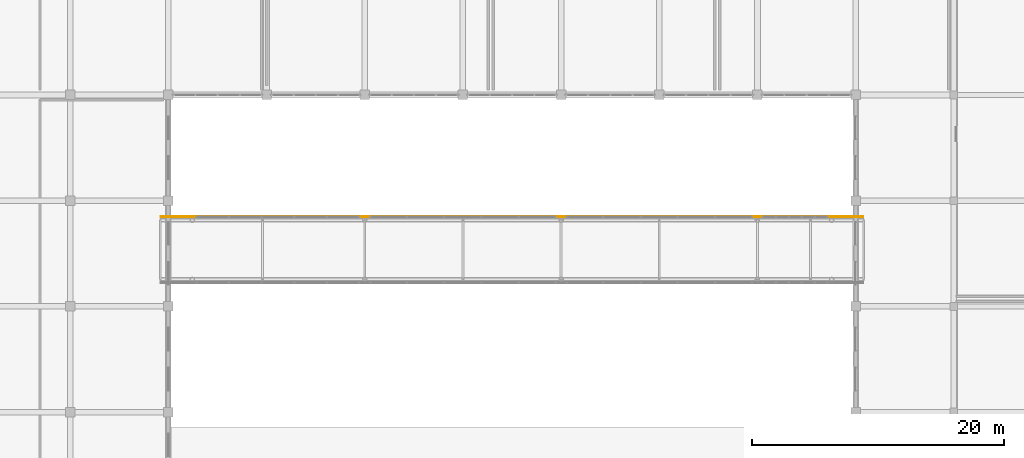
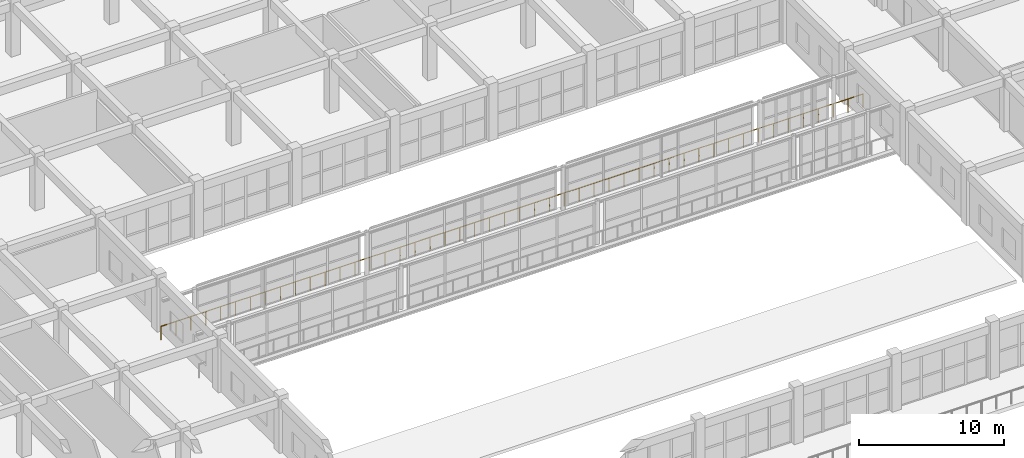
# One storey, part 165 of 167: 1 railing.
"""IFC4 building model written with IfcOpenShell, lengths in metres."""

from ifc_helpers import new_model, si_unit, direction, frame, origin, origin_2d, place, context, subcontext, project, spatial, hollow_rectangle, circle, extrude, material, material_profile, profile_set, type_object, element, save


model = new_model("IFC4")

# Units and contexts
model_context = context("Model", 3, precision=1e-05, world=origin(), true_north=direction((0.0, 1.0)))
body_context = subcontext(model_context, "Body", "Model", "MODEL_VIEW")
ifc_project = project(units=[si_unit("LENGTHUNIT", "METRE"), si_unit("AREAUNIT", "SQUARE_METRE"), si_unit("VOLUMEUNIT", "CUBIC_METRE"), si_unit("PLANEANGLEUNIT", "RADIAN"), si_unit("MASSUNIT", "GRAM", prefix="KILO")], contexts=[model_context])

# Site, building, storey
site_placement = place(None, origin())
site = spatial("IfcSite", under=ifc_project, at=site_placement, CompositionType="ELEMENT")
building_placement = place(site_placement, origin())
building = spatial("IfcBuilding", under=site, at=building_placement, Name="Zizhar Promenade General Hospital", CompositionType="ELEMENT")
storey_placement = place(building_placement, frame((0.0, 0.0, 9.60009765625)))
storey = spatial("IfcBuildingStorey", under=building, at=storey_placement, Name="L02", CompositionType="ELEMENT", Elevation=9.60009765625)

# Railing
ifc_material = material(Name="Steel S355", Category="steel")
ifc_material_profile = material_profile(ifc_material, hollow_rectangle(XDim=0.06005859375, YDim=0.1201171875, WallThickness=0.00390625, at=origin_2d()))
ifc_profile_set = profile_set([ifc_material_profile], Name="Steel S355")
railing_type = type_object("IfcRailingType", Name="RL-GUARD-EXT-1150", PredefinedType="GUARDRAIL", material=ifc_profile_set)
railing_placement = place(storey_placement, frame((69.60009765625, 82.719970703125, 0.0)))
element("IfcRailing", 1, at=railing_placement, inside=storey, type_object=railing_type, Name="Perimeter Safety Guardrail L02-01", PredefinedType="GUARDRAIL", context=body_context, shape_type="SweptSolid", body=[
    extrude(circle(Radius=0.02392578125, at=origin_2d()), frame((0.0, 0.0, 1.1259765625), z_axis=(1.0, 0.0, 0.0), x_axis=(0.0, 1.0, 0.0)), (0.0, 0.0, 1.0), 55.7998046875),
    extrude(circle(Radius=0.02099609375, at=origin_2d()), origin(), (0.0, 0.0, 1.0), 1.101806640625),
    extrude(circle(Radius=0.02099609375, at=origin_2d()), frame((1.187255859375, 0.0, 0.0)), (0.0, 0.0, 1.0), 1.101806640625),
    extrude(circle(Radius=0.02099609375, at=origin_2d()), frame((2.37451171875, 0.0, 0.0)), (0.0, 0.0, 1.0), 1.101806640625),
    extrude(circle(Radius=0.02099609375, at=origin_2d()), frame((3.561767578125, 0.0, 0.0)), (0.0, 0.0, 1.0), 1.101806640625),
    extrude(circle(Radius=0.02099609375, at=origin_2d()), frame((4.7490234375, 0.0, 0.0)), (0.0, 0.0, 1.0), 1.101806640625),
    extrude(circle(Radius=0.02099609375, at=origin_2d()), frame((5.93603515625, 0.0, 0.0)), (0.0, 0.0, 1.0), 1.101806640625),
    extrude(circle(Radius=0.02099609375, at=origin_2d()), frame((7.123291015625, 0.0, 0.0)), (0.0, 0.0, 1.0), 1.101806640625),
    extrude(circle(Radius=0.02099609375, at=origin_2d()), frame((8.310546875, 0.0, 0.0)), (0.0, 0.0, 1.0), 1.101806640625),
    extrude(circle(Radius=0.02099609375, at=origin_2d()), frame((9.497802734375, 0.0, 0.0)), (0.0, 0.0, 1.0), 1.101806640625),
    extrude(circle(Radius=0.02099609375, at=origin_2d()), frame((10.68505859375, 0.0, 0.0)), (0.0, 0.0, 1.0), 1.101806640625),
    extrude(circle(Radius=0.02099609375, at=origin_2d()), frame((11.872314453125, 0.0, 0.0)), (0.0, 0.0, 1.0), 1.101806640625),
    extrude(circle(Radius=0.02099609375, at=origin_2d()), frame((13.0595703125, 0.0, 0.0)), (0.0, 0.0, 1.0), 1.101806640625),
    extrude(circle(Radius=0.02099609375, at=origin_2d()), frame((14.246826171875, 0.0, 0.0)), (0.0, 0.0, 1.0), 1.101806640625),
    extrude(circle(Radius=0.02099609375, at=origin_2d()), frame((15.43408203125, 0.0, 0.0)), (0.0, 0.0, 1.0), 1.101806640625),
    extrude(circle(Radius=0.02099609375, at=origin_2d()), frame((16.621337890625, 0.0, 0.0)), (0.0, 0.0, 1.0), 1.101806640625),
    extrude(circle(Radius=0.02099609375, at=origin_2d()), frame((17.808349609375, 0.0, 0.0)), (0.0, 0.0, 1.0), 1.101806640625),
    extrude(circle(Radius=0.02099609375, at=origin_2d()), frame((18.99560546875, 0.0, 0.0)), (0.0, 0.0, 1.0), 1.101806640625),
    extrude(circle(Radius=0.02099609375, at=origin_2d()), frame((20.182861328125, 0.0, 0.0)), (0.0, 0.0, 1.0), 1.101806640625),
    extrude(circle(Radius=0.02099609375, at=origin_2d()), frame((21.3701171875, 0.0, 0.0)), (0.0, 0.0, 1.0), 1.101806640625),
    extrude(circle(Radius=0.02099609375, at=origin_2d()), frame((22.557373046875, 0.0, 0.0)), (0.0, 0.0, 1.0), 1.101806640625),
    extrude(circle(Radius=0.02099609375, at=origin_2d()), frame((23.74462890625, 0.0, 0.0)), (0.0, 0.0, 1.0), 1.101806640625),
    extrude(circle(Radius=0.02099609375, at=origin_2d()), frame((24.931884765625, 0.0, 0.0)), (0.0, 0.0, 1.0), 1.101806640625),
    extrude(circle(Radius=0.02099609375, at=origin_2d()), frame((26.119140625, 0.0, 0.0)), (0.0, 0.0, 1.0), 1.101806640625),
    extrude(circle(Radius=0.02099609375, at=origin_2d()), frame((27.306396484375, 0.0, 0.0)), (0.0, 0.0, 1.0), 1.101806640625),
    extrude(circle(Radius=0.02099609375, at=origin_2d()), frame((28.493408203125, 0.0, 0.0)), (0.0, 0.0, 1.0), 1.101806640625),
    extrude(circle(Radius=0.02099609375, at=origin_2d()), frame((29.6806640625, 0.0, 0.0)), (0.0, 0.0, 1.0), 1.101806640625),
    extrude(circle(Radius=0.02099609375, at=origin_2d()), frame((30.867919921875, 0.0, 0.0)), (0.0, 0.0, 1.0), 1.101806640625),
    extrude(circle(Radius=0.02099609375, at=origin_2d()), frame((32.05517578125, 0.0, 0.0)), (0.0, 0.0, 1.0), 1.101806640625),
    extrude(circle(Radius=0.02099609375, at=origin_2d()), frame((33.242431640625, 0.0, 0.0)), (0.0, 0.0, 1.0), 1.101806640625),
    extrude(circle(Radius=0.02099609375, at=origin_2d()), frame((34.4296875, 0.0, 0.0)), (0.0, 0.0, 1.0), 1.101806640625),
    extrude(circle(Radius=0.02099609375, at=origin_2d()), frame((35.616943359375, 0.0, 0.0)), (0.0, 0.0, 1.0), 1.101806640625),
    extrude(circle(Radius=0.02099609375, at=origin_2d()), frame((36.80419921875, 0.0, 0.0)), (0.0, 0.0, 1.0), 1.101806640625),
    extrude(circle(Radius=0.02099609375, at=origin_2d()), frame((37.991455078125, 0.0, 0.0)), (0.0, 0.0, 1.0), 1.101806640625),
    extrude(circle(Radius=0.02099609375, at=origin_2d()), frame((39.178466796875, 0.0, 0.0)), (0.0, 0.0, 1.0), 1.101806640625),
    extrude(circle(Radius=0.02099609375, at=origin_2d()), frame((40.36572265625, 0.0, 0.0)), (0.0, 0.0, 1.0), 1.101806640625),
    extrude(circle(Radius=0.02099609375, at=origin_2d()), frame((41.552978515625, 0.0, 0.0)), (0.0, 0.0, 1.0), 1.101806640625),
    extrude(circle(Radius=0.02099609375, at=origin_2d()), frame((42.740234375, 0.0, 0.0)), (0.0, 0.0, 1.0), 1.101806640625),
    extrude(circle(Radius=0.02099609375, at=origin_2d()), frame((43.927490234375, 0.0, 0.0)), (0.0, 0.0, 1.0), 1.101806640625),
    extrude(circle(Radius=0.02099609375, at=origin_2d()), frame((45.11474609375, 0.0, 0.0)), (0.0, 0.0, 1.0), 1.101806640625),
    extrude(circle(Radius=0.02099609375, at=origin_2d()), frame((46.302001953125, 0.0, 0.0)), (0.0, 0.0, 1.0), 1.101806640625),
    extrude(circle(Radius=0.02099609375, at=origin_2d()), frame((47.4892578125, 0.0, 0.0)), (0.0, 0.0, 1.0), 1.101806640625),
    extrude(circle(Radius=0.02099609375, at=origin_2d()), frame((48.676513671875, 0.0, 0.0)), (0.0, 0.0, 1.0), 1.101806640625),
    extrude(circle(Radius=0.02099609375, at=origin_2d()), frame((49.86376953125, 0.0, 0.0)), (0.0, 0.0, 1.0), 1.101806640625),
    extrude(circle(Radius=0.02099609375, at=origin_2d()), frame((51.05078125, 0.0, 0.0)), (0.0, 0.0, 1.0), 1.101806640625),
    extrude(circle(Radius=0.02099609375, at=origin_2d()), frame((52.238037109375, 0.0, 0.0)), (0.0, 0.0, 1.0), 1.101806640625),
    extrude(circle(Radius=0.02099609375, at=origin_2d()), frame((53.42529296875, 0.0, 0.0)), (0.0, 0.0, 1.0), 1.101806640625),
    extrude(circle(Radius=0.02099609375, at=origin_2d()), frame((54.612548828125, 0.0, 0.0)), (0.0, 0.0, 1.0), 1.101806640625),
    extrude(circle(Radius=0.02099609375, at=origin_2d()), frame((55.7998046875, 0.0, 0.0)), (0.0, 0.0, 1.0), 1.101806640625),
])

save(model, "model.ifc")
